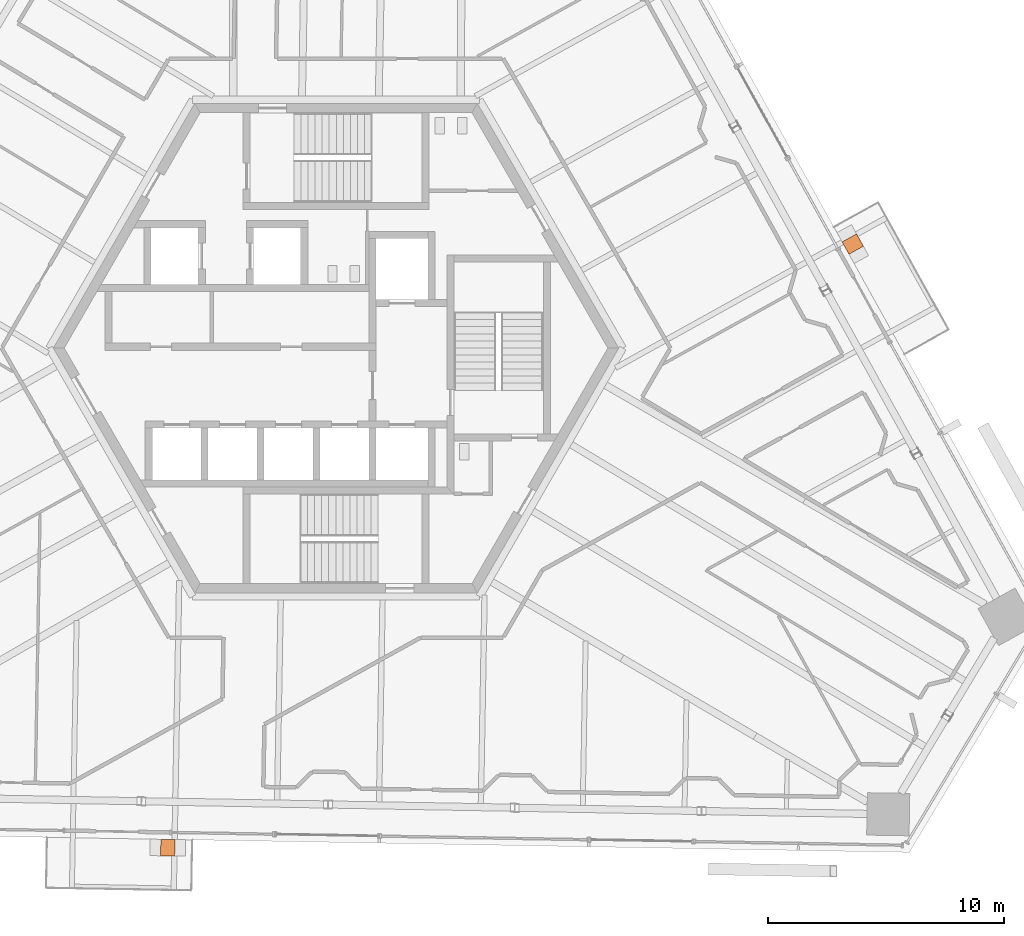
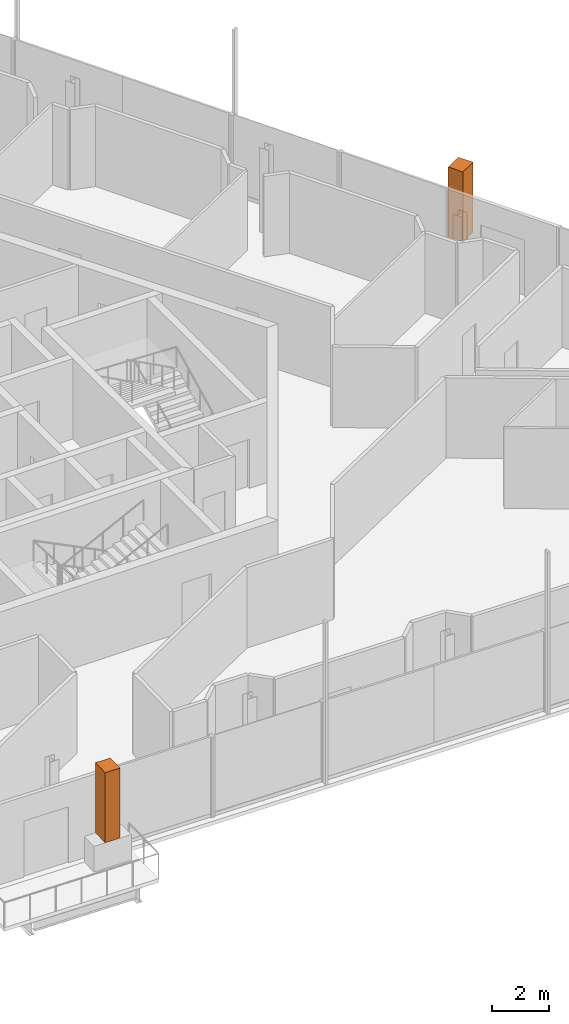
# One storey, part 22 of 22: 2 geographic elements.
"""IFC4 building model written with IfcOpenShell, lengths in metres."""

from ifc_helpers import new_model, si_unit, direction, frame, origin, origin_2d, place, context, subcontext, project, spatial, rectangle, extrude, source, transform, mapped, material, type_object, element, save


model = new_model("IFC4")

# Units and contexts
model_context = context("Model", 3, precision=1e-05, world=origin(), true_north=direction((0.0, 1.0)))
body_context = subcontext(model_context, "Body", "Model", "MODEL_VIEW")
ifc_project = project(units=[si_unit("LENGTHUNIT", "METRE"), si_unit("AREAUNIT", "SQUARE_METRE"), si_unit("VOLUMEUNIT", "CUBIC_METRE"), si_unit("PLANEANGLEUNIT", "RADIAN"), si_unit("MASSUNIT", "GRAM", prefix="KILO")], contexts=[model_context])

# Site, building, storey
site_placement = place(None, origin())
site = spatial("IfcSite", under=ifc_project, at=site_placement, CompositionType="ELEMENT")
building_placement = place(site_placement, origin())
building = spatial("IfcBuilding", under=site, at=building_placement, Name="Triune Harvest Tower", CompositionType="ELEMENT")
storey_placement = place(building_placement, frame((0.0, 0.0, 208.699951171875)))
storey = spatial("IfcBuildingStorey", under=building, at=storey_placement, Name="L54", CompositionType="ELEMENT", Elevation=208.699951171875)

# Geographic elements
ifc_material = material(Name="TREE-1 tree")
geographic_element_type = type_object("IfcGeographicElementType", Name="TREE-1 tree", PredefinedType="USERDEFINED", material=ifc_material)
shared_shape = source(origin(), body_context, "Body", "SweptSolid", [
    extrude(rectangle(XDim=0.60009765625, YDim=0.699951171875, at=origin_2d()), origin(), (0.0, 0.0, 1.0), 3.0),
])
for number, where, z_axis, x_axis, name in (
    (1, (21.935791015625, 4.417236328125, 1.10009765625), (0.0, 0.0, 1.0), (-0.48480848305, 0.874620337497, 0.0), "Tree B5-F1 L54.4b"),
    (2, (-7.142333984375, -21.205810546875, 1.10009765625), (0.0, 0.0, 1.0), (0.999847708228, -0.017451657526, 0.0), "Tree B5-F5 L54.4b"),
):
    element("IfcGeographicElement", number, at=place(storey_placement, frame(where, z_axis=z_axis, x_axis=x_axis)), inside=storey, type_object=geographic_element_type, Name=name, ObjectType="TREE", PredefinedType="USERDEFINED", context=body_context, shape_type="MappedRepresentation", body=[
        mapped(shared_shape, transform((0.0, 0.0, 0.0), scale=1.0)),
    ])

save(model, "model.ifc")
